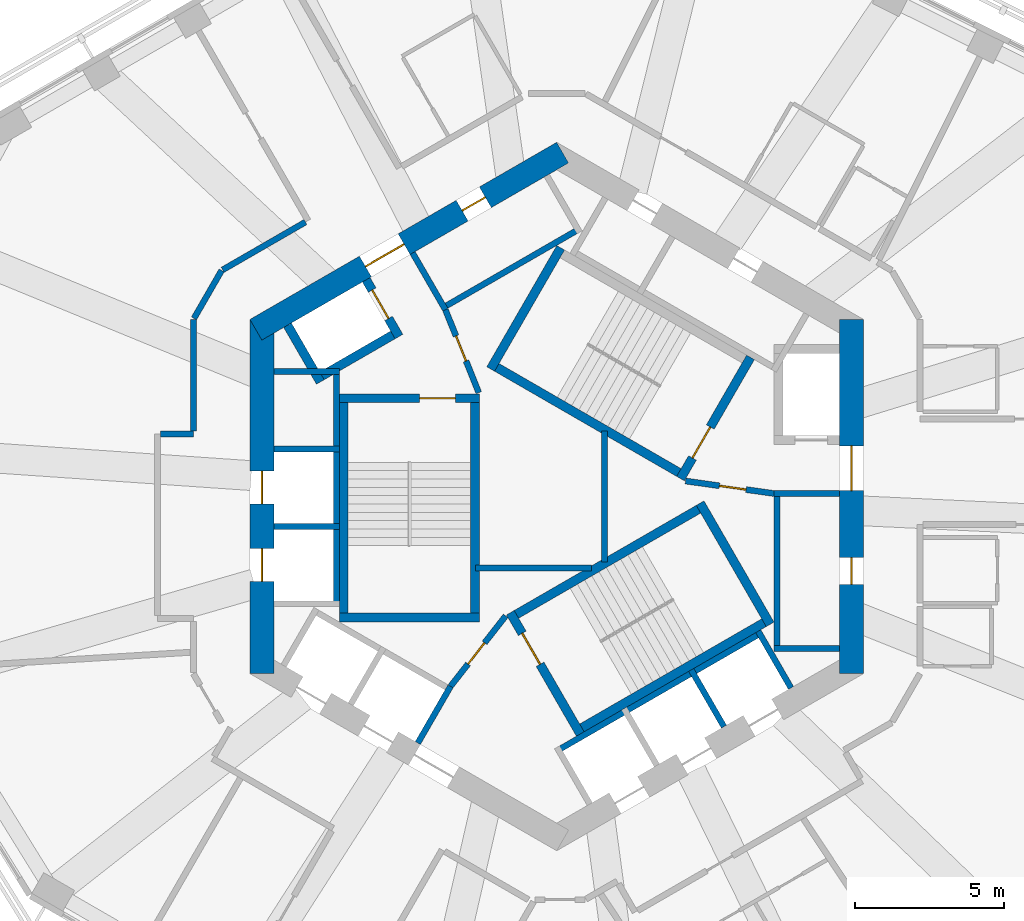
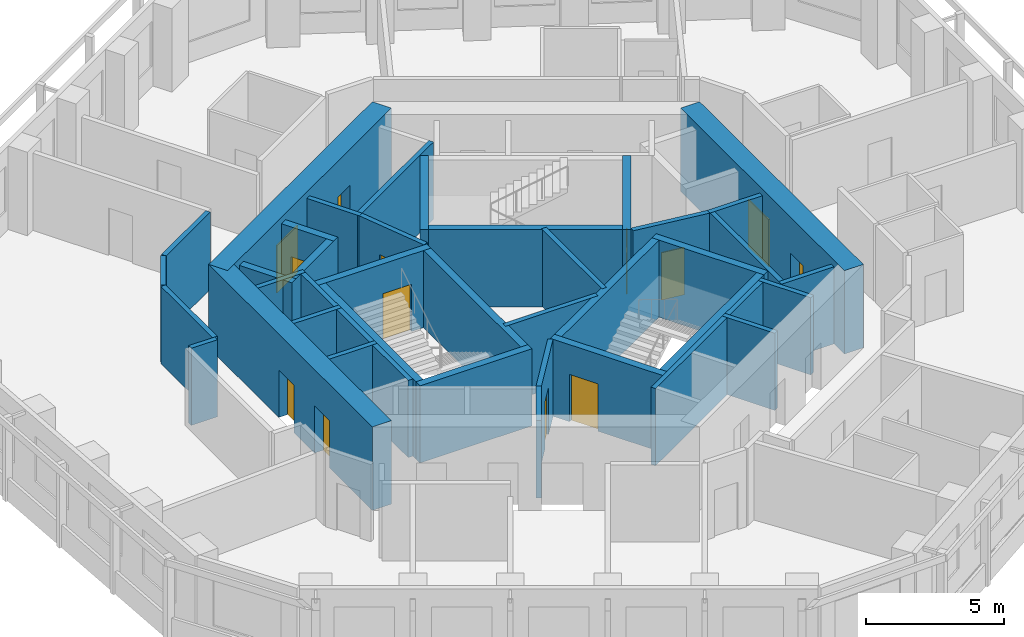
# One storey, part 5 of 11: 39 walls, 13 doors, 13 openings.
"""IFC4 building model written with IfcOpenShell, lengths in metres."""

from ifc_helpers import new_model, si_unit, direction, frame, frame_2d, origin, place, context, subcontext, project, spatial, rectangle, extrude, material, layer, layer_set, type_object, element, fill, save


model = new_model("IFC4")

# Units and contexts
model_context = context("Model", 3, precision=1e-05, world=origin(), true_north=direction((0.0, 1.0)))
body_context = subcontext(model_context, "Body", "Model", "MODEL_VIEW")
ifc_project = project(units=[si_unit("LENGTHUNIT", "METRE"), si_unit("AREAUNIT", "SQUARE_METRE"), si_unit("VOLUMEUNIT", "CUBIC_METRE"), si_unit("PLANEANGLEUNIT", "RADIAN"), si_unit("MASSUNIT", "GRAM", prefix="KILO")], contexts=[model_context])

# Site, building, storey
site_placement = place(None, origin())
site = spatial("IfcSite", under=ifc_project, at=site_placement, CompositionType="ELEMENT")
building_placement = place(site_placement, origin())
building = spatial("IfcBuilding", under=site, at=building_placement, Name="Vanh Sen Convention Tower", CompositionType="ELEMENT")
storey_placement = place(building_placement, frame((0.0, 0.0, 225.39990234375)))
storey = spatial("IfcBuildingStorey", under=building, at=storey_placement, Name="L55", CompositionType="ELEMENT", Elevation=225.39990234375)

# Wall, openings, doors
ifc_material_1 = material(Name="Concrete C60/75", Category="concrete")
ifc_layer_1 = layer(ifc_material_1, 0.800048828125)
ifc_layer_set_1 = layer_set([ifc_layer_1], Name="Concrete C60/75")
wall_type_1 = type_object("IfcWallType", Name="Core outer wall 800 C60/75", PredefinedType="SHEAR", material=ifc_layer_set_1)
wall_1_placement = place(storey_placement, frame((9.89990234375, -5.94677734375, 0.0), z_axis=(0.0, 0.0, 1.0), x_axis=(0.0, 1.0, 0.0)))
wall_1 = element("IfcWall", 1, at=wall_1_placement, inside=storey, type_object=wall_type_1, Name="Core wall face E L55", PredefinedType="SHEAR", context=body_context, shape_type="SweptSolid", body=[
    extrude(rectangle(XDim=11.8935546875, YDim=0.800048828125, at=frame_2d((5.94677734375, 0.0))), origin(), (0.0, 0.0, 1.0), 3.7001953125),
])
opening_1_placement = place(wall_1_placement, frame((6.146728515625, 0.0, 0.0)))
opening_1 = element("IfcOpeningElement", 2, at=opening_1_placement, cuts=wall_1, Name="Opening D52001", PredefinedType="OPENING", context=body_context, shape_type="SweptSolid", body=[
    extrude(rectangle(XDim=1.5, YDim=2.10009765625, at=frame_2d((0.75, 1.050048828125))), frame((0.0, 0.409912109375, 0.0), z_axis=(0.0, -1.0, 0.0), x_axis=(1.0, 0.0, 0.0)), (0.0, 0.0, 1.0), 0.820068359375),
])
opening_2_placement = place(wall_1_placement, frame((2.99658203125, 0.0, 0.0)))
opening_2 = element("IfcOpeningElement", 3, at=opening_2_placement, cuts=wall_1, Name="Opening D52010", PredefinedType="OPENING", context=body_context, shape_type="SweptSolid", body=[
    extrude(rectangle(XDim=0.89990234375, YDim=2.10009765625, at=frame_2d((0.449951171875, 1.050048828125))), frame((0.0, 0.409912109375, 0.0), z_axis=(0.0, -1.0, 0.0), x_axis=(1.0, 0.0, 0.0)), (0.0, 0.0, 1.0), 0.820068359375),
])
ifc_material_2 = material(Name="Steel S355", Category="steel")
door_type_1 = type_object("IfcDoorType", Name="Plant door 900", OperationType="SINGLE_SWING_LEFT", PredefinedType="DOOR", material=ifc_material_2)
door_1_placement = place(opening_2_placement, origin())
door_1 = element("IfcDoor", 4, at=door_1_placement, inside=storey, type_object=door_type_1, Name="Plant door D52010", OperationType="SINGLE_SWING_LEFT", OverallHeight=2.10009765625, OverallWidth=0.89990234375, PredefinedType="DOOR", context=body_context, shape_type="SweptSolid", body=[
    extrude(rectangle(XDim=0.89990234375, YDim=2.10009765625, at=frame_2d((0.449951171875, 1.050048828125))), frame((0.0, 0.02490234375, 0.0), z_axis=(0.0, -1.0, 0.0), x_axis=(1.0, 0.0, 0.0)), (0.0, 0.0, 1.0), 0.050048828125),
])
fill(opening_2, door_1)
door_type_2 = type_object("IfcDoorType", Name="Stair lobby door 1500", OperationType="DOUBLE_DOOR_SINGLE_SWING", PredefinedType="DOOR", material=ifc_material_2)
door_2_placement = place(opening_1_placement, origin())
door_2 = element("IfcDoor", 5, at=door_2_placement, inside=storey, type_object=door_type_2, Name="Stair lobby door D52001", OperationType="DOUBLE_DOOR_SINGLE_SWING", OverallHeight=2.10009765625, OverallWidth=1.5, PredefinedType="DOOR", context=body_context, shape_type="SweptSolid", body=[
    extrude(rectangle(XDim=1.5, YDim=2.10009765625, at=frame_2d((0.75, 1.050048828125))), frame((0.0, 0.02490234375, 0.0), z_axis=(0.0, -1.0, 0.0), x_axis=(1.0, 0.0, 0.0)), (0.0, 0.0, 1.0), 0.050048828125),
])
fill(opening_1, door_2)

wall_2_placement = place(storey_placement, frame((0.199951171875, 11.547119140625, 0.0), z_axis=(0.0, 0.0, 1.0), x_axis=(-0.866023897231, -0.500002609418, 0.0)))
wall_2 = element("IfcWall", 6, at=wall_2_placement, inside=storey, type_object=wall_type_1, Name="Core wall face NW L55", PredefinedType="SHEAR", context=body_context, shape_type="SweptSolid", body=[
    extrude(rectangle(XDim=11.8935546875, YDim=0.800048828125, at=frame_2d((5.94677734375, 0.0))), origin(), (0.0, 0.0, 1.0), 3.7001953125),
])
opening_3_placement = place(wall_2_placement, frame((6.146728515625, 0.0, 0.0)))
opening_3 = element("IfcOpeningElement", 7, at=opening_3_placement, cuts=wall_2, Name="Opening D52002", PredefinedType="OPENING", context=body_context, shape_type="SweptSolid", body=[
    extrude(rectangle(XDim=1.5, YDim=2.10009765625, at=frame_2d((0.75, 1.050048828125))), frame((0.0, 0.409912109375, 0.0), z_axis=(0.0, -1.0, 0.0), x_axis=(1.0, 0.0, 0.0)), (0.0, 0.0, 1.0), 0.820068359375),
])
opening_4_placement = place(wall_2_placement, frame((2.99658203125, 0.0, 0.0)))
opening_4 = element("IfcOpeningElement", 8, at=opening_4_placement, cuts=wall_2, Name="Opening D52013", PredefinedType="OPENING", context=body_context, shape_type="SweptSolid", body=[
    extrude(rectangle(XDim=0.89990234375, YDim=2.10009765625, at=frame_2d((0.449951171875, 1.050048828125))), frame((0.0, 0.409912109375, 0.0), z_axis=(0.0, -1.0, 0.0), x_axis=(1.0, 0.0, 0.0)), (0.0, 0.0, 1.0), 0.820068359375),
])
door_3_placement = place(opening_4_placement, origin())
door_3 = element("IfcDoor", 9, at=door_3_placement, inside=storey, type_object=door_type_1, Name="Plant door D52013", OperationType="SINGLE_SWING_LEFT", OverallHeight=2.10009765625, OverallWidth=0.89990234375, PredefinedType="DOOR", context=body_context, shape_type="SweptSolid", body=[
    extrude(rectangle(XDim=0.89990234375, YDim=2.10009765625, at=frame_2d((0.449951171875, 1.050048828125))), frame((0.0, 0.02490234375, 0.0), z_axis=(0.0, -1.0, 0.0), x_axis=(1.0, 0.0, 0.0)), (0.0, 0.0, 1.0), 0.050048828125),
])
fill(opening_4, door_3)
door_4_placement = place(opening_3_placement, origin())
door_4 = element("IfcDoor", 10, at=door_4_placement, inside=storey, type_object=door_type_2, Name="Stair lobby door D52002", OperationType="DOUBLE_DOOR_SINGLE_SWING", OverallHeight=2.10009765625, OverallWidth=1.5, PredefinedType="DOOR", context=body_context, shape_type="SweptSolid", body=[
    extrude(rectangle(XDim=1.5, YDim=2.10009765625, at=frame_2d((0.75, 1.050048828125))), frame((0.0, 0.02490234375, 0.0), z_axis=(0.0, -1.0, 0.0), x_axis=(1.0, 0.0, 0.0)), (0.0, 0.0, 1.0), 0.050048828125),
])
fill(opening_3, door_4)

wall_3_placement = place(storey_placement, frame((-9.89990234375, 5.94677734375, 0.0), z_axis=(0.0, 0.0, 1.0), x_axis=(0.0, -1.0, 0.0)))
wall_3 = element("IfcWall", 11, at=wall_3_placement, inside=storey, type_object=wall_type_1, Name="Core wall face W L55", PredefinedType="SHEAR", context=body_context, shape_type="SweptSolid", body=[
    extrude(rectangle(XDim=11.8935546875, YDim=0.800048828125, at=frame_2d((5.94677734375, 0.0))), origin(), (0.0, 0.0, 1.0), 3.7001953125),
])
opening_5_placement = place(wall_3_placement, frame((5.0966796875, 0.0, 0.0)))
opening_5 = element("IfcOpeningElement", 12, at=opening_5_placement, cuts=wall_3, Name="Opening LD-HR1", PredefinedType="OPENING", context=body_context, shape_type="SweptSolid", body=[
    extrude(rectangle(XDim=1.10009765625, YDim=2.10009765625, at=frame_2d((0.550048828125, 1.050048828125))), frame((0.0, 0.409912109375, 0.0), z_axis=(0.0, -1.0, 0.0), x_axis=(1.0, 0.0, 0.0)), (0.0, 0.0, 1.0), 0.820068359375),
])
opening_6_placement = place(wall_3_placement, frame((7.69677734375, 0.0, 0.0)))
opening_6 = element("IfcOpeningElement", 13, at=opening_6_placement, cuts=wall_3, Name="Opening LD-HR2", PredefinedType="OPENING", context=body_context, shape_type="SweptSolid", body=[
    extrude(rectangle(XDim=1.10009765625, YDim=2.10009765625, at=frame_2d((0.550048828125, 1.050048828125))), frame((0.0, 0.409912109375, 0.0), z_axis=(0.0, -1.0, 0.0), x_axis=(1.0, 0.0, 0.0)), (0.0, 0.0, 1.0), 0.820068359375),
])
ifc_material_3 = material(Name="Stainless steel", Category="steel")
door_type_3 = type_object("IfcDoorType", Name="Lift landing door 1100", OperationType="DOUBLE_DOOR_SLIDING", PredefinedType="DOOR", material=ifc_material_3)
door_5_placement = place(opening_5_placement, origin())
door_5 = element("IfcDoor", 14, at=door_5_placement, inside=storey, type_object=door_type_3, Name="Lift HR1 landing door LD-HR1", OperationType="DOUBLE_DOOR_SLIDING", OverallHeight=2.10009765625, OverallWidth=1.10009765625, PredefinedType="DOOR", context=body_context, shape_type="SweptSolid", body=[
    extrude(rectangle(XDim=1.10009765625, YDim=2.10009765625, at=frame_2d((0.550048828125, 1.050048828125))), frame((0.0, 0.02490234375, 0.0), z_axis=(0.0, -1.0, 0.0), x_axis=(1.0, 0.0, 0.0)), (0.0, 0.0, 1.0), 0.050048828125),
])
fill(opening_5, door_5)
door_6_placement = place(opening_6_placement, origin())
door_6 = element("IfcDoor", 15, at=door_6_placement, inside=storey, type_object=door_type_3, Name="Lift HR2 landing door LD-HR2", OperationType="DOUBLE_DOOR_SLIDING", OverallHeight=2.10009765625, OverallWidth=1.10009765625, PredefinedType="DOOR", context=body_context, shape_type="SweptSolid", body=[
    extrude(rectangle(XDim=1.10009765625, YDim=2.10009765625, at=frame_2d((0.550048828125, 1.050048828125))), frame((0.0, 0.02490234375, 0.0), z_axis=(0.0, -1.0, 0.0), x_axis=(1.0, 0.0, 0.0)), (0.0, 0.0, 1.0), 0.050048828125),
])
fill(opening_6, door_6)

# Walls
ifc_material_4 = material(Name="Masonry blockwork", Category="masonry")
ifc_layer_2 = layer(ifc_material_4, 0.199951171875)
ifc_layer_set_2 = layer_set([ifc_layer_2], Name="Masonry blockwork")
wall_type_2 = type_object("IfcWallType", Name="Core partition 200", PredefinedType="PARTITIONING", material=ifc_layer_set_2)
wall_4_placement = place(storey_placement, frame((-2.719970703125, -2.39990234375, 0.0), z_axis=(0.0, 0.0, 1.0), x_axis=(1.0, 0.0, 0.0)))
element("IfcWall", 16, at=wall_4_placement, inside=storey, type_object=wall_type_2, Name="Core partition L55", PredefinedType="PARTITIONING", context=body_context, shape_type="SweptSolid", body=[
    extrude(rectangle(XDim=3.883056640625, YDim=0.199951171875, at=frame_2d((1.94140625, 0.0))), origin(), (0.0, 0.0, 1.0), 3.420166015625),
])
wall_5_placement = place(storey_placement, frame((1.60009765625, -2.198486328125, 0.0), z_axis=(0.0, 0.0, 1.0), x_axis=(0.0, 1.0, 0.0)))
element("IfcWall", 17, at=wall_5_placement, inside=storey, type_object=wall_type_2, Name="Core partition L55", PredefinedType="PARTITIONING", context=body_context, shape_type="SweptSolid", body=[
    extrude(rectangle(XDim=4.39697265625, YDim=0.199951171875, at=frame_2d((2.198486328125, 0.0))), origin(), (0.0, 0.0, 1.0), 3.420166015625),
])
ifc_material_5 = material(Name="Gypsum board on steel studs with mineral wool", Category="steel")
ifc_layer_3 = layer(ifc_material_5, 0.199951171875)
ifc_layer_set_3 = layer_set([ifc_layer_3], Name="Gypsum board on steel studs with mineral wool")
wall_type_3 = type_object("IfcWallType", Name="Corridor partition wall 200", PredefinedType="PARTITIONING", material=ifc_layer_set_3)
wall_6_placement = place(storey_placement, frame((-12.199951171875, 2.10107421875, 0.0), z_axis=(0.0, 0.0, 1.0), x_axis=(-1.0, 0.0, 0.0)))
element("IfcWall", 18, at=wall_6_placement, inside=storey, type_object=wall_type_3, Name="Corridor partition wall 200", PredefinedType="PARTITIONING", context=body_context, shape_type="SweptSolid", body=[
    extrude(rectangle(XDim=1.10107421875, YDim=0.199951171875, at=frame_2d((0.550537109375, 0.0))), origin(), (0.0, 0.0, 1.0), 3.420166015625),
])
wall_7_placement = place(storey_placement, frame((-12.199951171875, 5.94677734375, 0.0), z_axis=(0.0, 0.0, 1.0), x_axis=(0.0, -1.0, 0.0)))
element("IfcWall", 19, at=wall_7_placement, inside=storey, type_object=wall_type_3, Name="Corridor partition wall 200", PredefinedType="PARTITIONING", context=body_context, shape_type="SweptSolid", body=[
    extrude(rectangle(XDim=3.745849609375, YDim=0.199951171875, at=frame_2d((1.873046875, 0.0))), origin(), (0.0, 0.0, 1.0), 3.420166015625),
])
wall_8_placement = place(storey_placement, frame((-11.25, 7.592041015625, 0.0), z_axis=(0.0, 0.0, 1.0), x_axis=(-0.499964847546, -0.866045698112, 0.0)))
element("IfcWall", 20, at=wall_8_placement, inside=storey, type_object=wall_type_3, Name="Corridor partition wall 200", PredefinedType="PARTITIONING", context=body_context, shape_type="SweptSolid", body=[
    extrude(rectangle(XDim=1.860107421875, YDim=0.199951171875, at=frame_2d((0.93017578125, 0.0))), origin(), (0.0, 0.0, 1.0), 3.420166015625),
])
wall_9_placement = place(storey_placement, frame((-8.4365234375, 9.216552734375, 0.0), z_axis=(0.0, 0.0, 1.0), x_axis=(-0.866005660673, -0.500034194513, 0.0)))
element("IfcWall", 21, at=wall_9_placement, inside=storey, type_object=wall_type_3, Name="Corridor partition wall 200", PredefinedType="PARTITIONING", context=body_context, shape_type="SweptSolid", body=[
    extrude(rectangle(XDim=3.208740234375, YDim=0.199951171875, at=frame_2d((1.6044921875, 0.0))), origin(), (0.0, 0.0, 1.0), 3.420166015625),
])

# Wall, opening, door
ifc_layer_4 = layer(ifc_material_1, 0.300048828125)
ifc_layer_set_4 = layer_set([ifc_layer_4], Name="Concrete C60/75")
wall_type_4 = type_object("IfcWallType", Name="Fire-fighting lift shaft wall 300", PredefinedType="SHEAR", material=ifc_layer_set_4)
wall_10_placement = place(storey_placement, frame((-5.29541015625, 5.3720703125, 0.0), z_axis=(0.0, 0.0, 1.0), x_axis=(-0.500077893725, 0.86598042715, 0.0)))
wall_10 = element("IfcWall", 22, at=wall_10_placement, inside=storey, type_object=wall_type_4, Name="Fire-fighting lift shaft wall L55", PredefinedType="SHEAR", context=body_context, shape_type="SweptSolid", body=[
    extrude(rectangle(XDim=2.199951171875, YDim=0.300048828125, at=frame_2d((1.10009765625, 0.0))), origin(), (0.0, 0.0, 1.0), 3.420166015625),
])
opening_7_placement = place(wall_10_placement, frame((0.699951171875, 0.0, 0.0)))
opening_7 = element("IfcOpeningElement", 23, at=opening_7_placement, cuts=wall_10, Name="Opening LD-FF2", PredefinedType="OPENING", context=body_context, shape_type="SweptSolid", body=[
    extrude(rectangle(XDim=1.10009765625, YDim=2.10009765625, at=frame_2d((0.550048828125, 1.050048828125))), frame((0.0, 0.159912109375, 0.0), z_axis=(0.0, -1.0, 0.0), x_axis=(1.0, 0.0, 0.0)), (0.0, 0.0, 1.0), 0.320068359375),
])
door_type_4 = type_object("IfcDoorType", Name="Fire-fighting lift landing door 1100", OperationType="DOUBLE_DOOR_SLIDING", PredefinedType="DOOR", material=ifc_material_3)
door_7_placement = place(opening_7_placement, origin())
door_7 = element("IfcDoor", 24, at=door_7_placement, inside=storey, type_object=door_type_4, Name="Lift FF2 landing door LD-FF2", OperationType="DOUBLE_DOOR_SLIDING", OverallHeight=2.10009765625, OverallWidth=1.10009765625, PredefinedType="DOOR", context=body_context, shape_type="SweptSolid", body=[
    extrude(rectangle(XDim=1.10009765625, YDim=2.10009765625, at=frame_2d((0.550048828125, 1.050048828125))), frame((0.0, 0.02490234375, 0.0), z_axis=(0.0, -1.0, 0.0), x_axis=(1.0, 0.0, 0.0)), (0.0, 0.0, 1.0), 0.050048828125),
])
fill(opening_7, door_7)

# Walls
wall_11_placement = place(storey_placement, frame((-5.240478515625, 5.576904296875, 0.0), z_axis=(0.0, 0.0, 1.0), x_axis=(-0.866014461049, -0.500018952895, 0.0)))
element("IfcWall", 25, at=wall_11_placement, inside=storey, type_object=wall_type_4, Name="Fire-fighting lift shaft wall L55", PredefinedType="SHEAR", context=body_context, shape_type="SweptSolid", body=[
    extrude(rectangle(XDim=3.349853515625, YDim=0.300048828125, at=frame_2d((1.6748046875, 0.0))), origin(), (0.0, 0.0, 1.0), 3.420166015625),
])
wall_12_placement = place(storey_placement, frame((-7.936767578125, 3.846923828125, 0.0), z_axis=(0.0, 0.0, 1.0), x_axis=(-0.50002983664, 0.866008176907, 0.0)))
element("IfcWall", 26, at=wall_12_placement, inside=storey, type_object=wall_type_4, Name="Fire-fighting lift shaft wall L55", PredefinedType="SHEAR", context=body_context, shape_type="SweptSolid", body=[
    extrude(rectangle(XDim=2.199951171875, YDim=0.300048828125, at=frame_2d((1.10009765625, 0.0))), origin(), (0.0, 0.0, 1.0), 3.420166015625),
])
ifc_material_6 = material(Name="Concrete C40/50", Category="concrete")
ifc_layer_5 = layer(ifc_material_6, 0.199951171875)
ifc_layer_set_5 = layer_set([ifc_layer_5], Name="Concrete C40/50")
wall_type_5 = type_object("IfcWallType", Name="Lift shaft wall 200", PredefinedType="PARTITIONING", material=ifc_layer_set_5)
wall_13_placement = place(storey_placement, frame((7.39990234375, -5.199951171875, 0.0), z_axis=(0.0, 0.0, 1.0), x_axis=(0.0, 1.0, 0.0)))
element("IfcWall", 27, at=wall_13_placement, inside=storey, type_object=wall_type_5, Name="Lift shaft wall L55", PredefinedType="PARTITIONING", context=body_context, shape_type="SweptSolid", body=[
    extrude(rectangle(XDim=5.39990234375, YDim=0.199951171875, at=frame_2d((2.699951171875, 0.0))), origin(), (0.0, 0.0, 1.0), 3.420166015625),
])
for number, where, z_axis, x_axis, name in (
    (28, (7.300048828125, -5.10009765625, 0.0), (0.0, 0.0, 1.0), (1.0, 0.0, 0.0), "Lift shaft wall L55"),
    (29, (7.300048828125, 0.10009765625, 0.0), (0.0, 0.0, 1.0), (1.0, 0.0, 0.0), "Lift shaft wall L55"),
):
    element("IfcWall", number, at=place(storey_placement, frame(where, z_axis=z_axis, x_axis=x_axis)), inside=storey, type_object=wall_type_5, Name=name, PredefinedType="PARTITIONING", context=body_context, shape_type="SweptSolid", body=[
        extrude(rectangle(XDim=2.199951171875, YDim=0.199951171875, at=frame_2d((1.10009765625, 0.0))), origin(), (0.0, 0.0, 1.0), 3.420166015625),
    ])
wall_14_placement = place(storey_placement, frame((0.80322265625, 9.008544921875, 0.0), z_axis=(0.0, 0.0, 1.0), x_axis=(-0.866028230842, -0.499995103361, 0.0)))
element("IfcWall", 30, at=wall_14_placement, inside=storey, type_object=wall_type_5, Name="Lift shaft wall L55", PredefinedType="PARTITIONING", context=body_context, shape_type="SweptSolid", body=[
    extrude(rectangle(XDim=5.39990234375, YDim=0.199951171875, at=frame_2d((2.699951171875, 0.0))), origin(), (0.0, 0.0, 1.0), 3.420166015625),
])
wall_15_placement = place(storey_placement, frame((-3.736572265625, 6.27197265625, 0.0), z_axis=(0.0, 0.0, 1.0), x_axis=(-0.50002983664, 0.866008176907, 0.0)))
element("IfcWall", 31, at=wall_15_placement, inside=storey, type_object=wall_type_5, Name="Lift shaft wall L55", PredefinedType="PARTITIONING", context=body_context, shape_type="SweptSolid", body=[
    extrude(rectangle(XDim=2.199951171875, YDim=0.199951171875, at=frame_2d((1.10009765625, 0.0))), origin(), (0.0, 0.0, 1.0), 3.420166015625),
])
wall_16_placement = place(storey_placement, frame((-7.39990234375, 4.300048828125, 0.0), z_axis=(0.0, 0.0, 1.0), x_axis=(0.0, -1.0, 0.0)))
element("IfcWall", 32, at=wall_16_placement, inside=storey, type_object=wall_type_5, Name="Lift shaft wall L55", PredefinedType="PARTITIONING", context=body_context, shape_type="SweptSolid", body=[
    extrude(rectangle(XDim=8.0, YDim=0.199951171875, at=frame_2d((4.0, 0.0))), origin(), (0.0, 0.0, 1.0), 3.420166015625),
])
for number, where, z_axis, x_axis, name in (
    (33, (-7.300048828125, 4.199951171875, 0.0), (0.0, 0.0, 1.0), (-1.0, 0.0, 0.0), "Lift shaft wall L55"),
    (34, (-7.300048828125, 1.60009765625, 0.0), (0.0, 0.0, 1.0), (-1.0, 0.0, 0.0), "Lift shaft wall L55"),
    (35, (-7.300048828125, -1.0, 0.0), (0.0, 0.0, 1.0), (-1.0, 0.0, 0.0), "Lift shaft wall L55"),
):
    element("IfcWall", number, at=place(storey_placement, frame(where, z_axis=z_axis, x_axis=x_axis)), inside=storey, type_object=wall_type_5, Name=name, PredefinedType="PARTITIONING", context=body_context, shape_type="SweptSolid", body=[
        extrude(rectangle(XDim=2.199951171875, YDim=0.199951171875, at=frame_2d((1.10009765625, 0.0))), origin(), (0.0, 0.0, 1.0), 3.420166015625),
    ])
wall_17_placement = place(storey_placement, frame((-3.5634765625, -6.3720703125, 0.0), z_axis=(0.0, 0.0, 1.0), x_axis=(-0.499994660107, -0.866028486751, 0.0)))
element("IfcWall", 36, at=wall_17_placement, inside=storey, type_object=wall_type_5, Name="Lift shaft wall L55", PredefinedType="PARTITIONING", context=body_context, shape_type="SweptSolid", body=[
    extrude(rectangle(XDim=2.19970703125, YDim=0.199951171875, at=frame_2d((1.099853515625, 0.0))), origin(), (0.0, 0.0, 1.0), 3.420166015625),
])
wall_18_placement = place(storey_placement, frame((-0.02392578125, -8.55859375, 0.0), z_axis=(0.0, 0.0, 1.0), x_axis=(0.866026010844, 0.49999894854, 0.0)))
element("IfcWall", 37, at=wall_18_placement, inside=storey, type_object=wall_type_5, Name="Lift shaft wall L55", PredefinedType="PARTITIONING", context=body_context, shape_type="SweptSolid", body=[
    extrude(rectangle(XDim=8.0, YDim=0.199951171875, at=frame_2d((4.0, 0.0))), origin(), (0.0, 0.0, 1.0), 3.420166015625),
])
for number, where, z_axis, x_axis, name in (
    (38, (4.51611328125, -5.822021484375, 0.0), (0.0, 0.0, 1.0), (0.499946605688, -0.86605622881, 0.0), "Lift shaft wall L55"),
    (39, (6.767578125, -4.52197265625, 0.0), (0.0, 0.0, 1.0), (0.50002983664, -0.866008176907, 0.0), "Lift shaft wall L55"),
):
    element("IfcWall", number, at=place(storey_placement, frame(where, z_axis=z_axis, x_axis=x_axis)), inside=storey, type_object=wall_type_5, Name=name, PredefinedType="PARTITIONING", context=body_context, shape_type="SweptSolid", body=[
        extrude(rectangle(XDim=2.199951171875, YDim=0.199951171875, at=frame_2d((1.10009765625, 0.0))), origin(), (0.0, 0.0, 1.0), 3.420166015625),
    ])

# Wall, opening, door
ifc_layer_6 = layer(ifc_material_6, 0.199951171875)
ifc_layer_set_6 = layer_set([ifc_layer_6], Name="Concrete C40/50")
wall_type_6 = type_object("IfcWallType", Name="Stair lobby wall 200", PredefinedType="PARTITIONING", material=ifc_layer_set_6)
wall_19_placement = place(storey_placement, frame((4.327392578125, 0.52099609375, 0.0), z_axis=(0.0, 0.0, 1.0), x_axis=(0.990124376366, -0.14019172346, 0.0)))
wall_19 = element("IfcWall", 40, at=wall_19_placement, inside=storey, type_object=wall_type_6, Name="Stair lobby wall L55", PredefinedType="PARTITIONING", context=body_context, shape_type="SweptSolid", body=[
    extrude(rectangle(XDim=3.002197265625, YDim=0.199951171875, at=frame_2d((1.5009765625, 0.0))), origin(), (0.0, 0.0, 1.0), 3.420166015625),
])
opening_8_placement = place(wall_19_placement, frame((1.14990234375, 0.0, 0.0)))
opening_8 = element("IfcOpeningElement", 41, at=opening_8_placement, cuts=wall_19, Name="Opening D52007", PredefinedType="OPENING", context=body_context, shape_type="SweptSolid", body=[
    extrude(rectangle(XDim=0.89990234375, YDim=2.10009765625, at=frame_2d((0.449951171875, 1.050048828125))), frame((0.0, 0.10986328125, 0.0), z_axis=(0.0, -1.0, 0.0), x_axis=(1.0, 0.0, 0.0)), (0.0, 0.0, 1.0), 0.219970703125),
])
door_8_placement = place(opening_8_placement, origin())
door_8 = element("IfcDoor", 42, at=door_8_placement, inside=storey, type_object=door_type_1, Name="Plant door D52007", OperationType="SINGLE_SWING_LEFT", OverallHeight=2.10009765625, OverallWidth=0.89990234375, PredefinedType="DOOR", context=body_context, shape_type="SweptSolid", body=[
    extrude(rectangle(XDim=0.89990234375, YDim=2.10009765625, at=frame_2d((0.449951171875, 1.050048828125))), frame((0.0, 0.02490234375, 0.0), z_axis=(0.0, -1.0, 0.0), x_axis=(1.0, 0.0, 0.0)), (0.0, 0.0, 1.0), 0.050048828125),
])
fill(opening_8, door_8)

wall_20_placement = place(storey_placement, frame((-2.614990234375, 3.487060546875, 0.0), z_axis=(0.0, 0.0, 1.0), x_axis=(-0.373576831041, 0.92759924068, 0.0)))
wall_20 = element("IfcWall", 43, at=wall_20_placement, inside=storey, type_object=wall_type_6, Name="Stair lobby wall L55", PredefinedType="PARTITIONING", context=body_context, shape_type="SweptSolid", body=[
    extrude(rectangle(XDim=3.002197265625, YDim=0.199951171875, at=frame_2d((1.5009765625, 0.0))), origin(), (0.0, 0.0, 1.0), 3.420166015625),
])
opening_9_placement = place(wall_20_placement, frame((1.14990234375, 0.0, 0.0)))
opening_9 = element("IfcOpeningElement", 44, at=opening_9_placement, cuts=wall_20, Name="Opening D52008", PredefinedType="OPENING", context=body_context, shape_type="SweptSolid", body=[
    extrude(rectangle(XDim=0.89990234375, YDim=2.10009765625, at=frame_2d((0.449951171875, 1.050048828125))), frame((0.0, 0.10986328125, 0.0), z_axis=(0.0, -1.0, 0.0), x_axis=(1.0, 0.0, 0.0)), (0.0, 0.0, 1.0), 0.219970703125),
])
door_9_placement = place(opening_9_placement, origin())
door_9 = element("IfcDoor", 45, at=door_9_placement, inside=storey, type_object=door_type_1, Name="Plant door D52008", OperationType="SINGLE_SWING_LEFT", OverallHeight=2.10009765625, OverallWidth=0.89990234375, PredefinedType="DOOR", context=body_context, shape_type="SweptSolid", body=[
    extrude(rectangle(XDim=0.89990234375, YDim=2.10009765625, at=frame_2d((0.449951171875, 1.050048828125))), frame((0.0, 0.02490234375, 0.0), z_axis=(0.0, -1.0, 0.0), x_axis=(1.0, 0.0, 0.0)), (0.0, 0.0, 1.0), 0.050048828125),
])
fill(opening_9, door_9)

wall_21_placement = place(storey_placement, frame((-1.71240234375, -4.00830078125, 0.0), z_axis=(0.0, 0.0, 1.0), x_axis=(-0.616549420702, -0.787316208287, 0.0)))
wall_21 = element("IfcWall", 46, at=wall_21_placement, inside=storey, type_object=wall_type_6, Name="Stair lobby wall L55", PredefinedType="PARTITIONING", context=body_context, shape_type="SweptSolid", body=[
    extrude(rectangle(XDim=3.002197265625, YDim=0.199951171875, at=frame_2d((1.5009765625, 0.0))), origin(), (0.0, 0.0, 1.0), 3.420166015625),
])
opening_10_placement = place(wall_21_placement, frame((1.14990234375, 0.0, 0.0)))
opening_10 = element("IfcOpeningElement", 47, at=opening_10_placement, cuts=wall_21, Name="Opening D52009", PredefinedType="OPENING", context=body_context, shape_type="SweptSolid", body=[
    extrude(rectangle(XDim=0.89990234375, YDim=2.10009765625, at=frame_2d((0.449951171875, 1.050048828125))), frame((0.0, 0.10986328125, 0.0), z_axis=(0.0, -1.0, 0.0), x_axis=(1.0, 0.0, 0.0)), (0.0, 0.0, 1.0), 0.219970703125),
])
door_10_placement = place(opening_10_placement, origin())
door_10 = element("IfcDoor", 48, at=door_10_placement, inside=storey, type_object=door_type_1, Name="Plant door D52009", OperationType="SINGLE_SWING_LEFT", OverallHeight=2.10009765625, OverallWidth=0.89990234375, PredefinedType="DOOR", context=body_context, shape_type="SweptSolid", body=[
    extrude(rectangle(XDim=0.89990234375, YDim=2.10009765625, at=frame_2d((0.449951171875, 1.050048828125))), frame((0.0, 0.02490234375, 0.0), z_axis=(0.0, -1.0, 0.0), x_axis=(1.0, 0.0, 0.0)), (0.0, 0.0, 1.0), 0.050048828125),
])
fill(opening_10, door_10)

ifc_layer_7 = layer(ifc_material_1, 0.300048828125)
ifc_layer_set_7 = layer_set([ifc_layer_7], Name="Concrete C60/75")
wall_type_7 = type_object("IfcWallType", Name="Stair wall 300", PredefinedType="SHEAR", material=ifc_layer_set_7)
wall_22_placement = place(storey_placement, frame((4.157958984375, 0.601806640625, 0.0), z_axis=(0.0, 0.0, 1.0), x_axis=(0.499977259774, 0.866038532462, 0.0)))
wall_22 = element("IfcWall", 49, at=wall_22_placement, inside=storey, type_object=wall_type_7, Name="Stair wall L55", PredefinedType="SHEAR", context=body_context, shape_type="SweptSolid", body=[
    extrude(rectangle(XDim=4.699951171875, YDim=0.300048828125, at=frame_2d((2.35009765625, 0.0))), origin(), (0.0, 0.0, 1.0), 3.420166015625),
])
opening_11_placement = place(wall_22_placement, frame((0.800048828125, 0.0, 0.0)))
opening_11 = element("IfcOpeningElement", 50, at=opening_11_placement, cuts=wall_22, Name="Opening D52004", PredefinedType="OPENING", context=body_context, shape_type="SweptSolid", body=[
    extrude(rectangle(XDim=1.199951171875, YDim=2.10009765625, at=frame_2d((0.60009765625, 1.050048828125))), frame((0.0, 0.159912109375, 0.0), z_axis=(0.0, -1.0, 0.0), x_axis=(1.0, 0.0, 0.0)), (0.0, 0.0, 1.0), 0.320068359375),
])
door_type_5 = type_object("IfcDoorType", Name="Stair door 1200", OperationType="SINGLE_SWING_RIGHT", PredefinedType="DOOR", material=ifc_material_2)
door_11_placement = place(opening_11_placement, origin())
door_11 = element("IfcDoor", 51, at=door_11_placement, inside=storey, type_object=door_type_5, Name="Stair ST1 door D52004", OperationType="SINGLE_SWING_RIGHT", OverallHeight=2.10009765625, OverallWidth=1.199951171875, PredefinedType="DOOR", context=body_context, shape_type="SweptSolid", body=[
    extrude(rectangle(XDim=1.199951171875, YDim=2.10009765625, at=frame_2d((0.60009765625, 1.050048828125))), frame((0.0, 0.02490234375, 0.0), z_axis=(0.0, -1.0, 0.0), x_axis=(1.0, 0.0, 0.0)), (0.0, 0.0, 1.0), 0.050048828125),
])
fill(opening_11, door_11)

# Walls
wall_23_placement = place(storey_placement, frame((-2.216064453125, 4.28173828125, 0.0), z_axis=(0.0, 0.0, 1.0), x_axis=(0.499977259774, 0.866038532462, 0.0)))
element("IfcWall", 52, at=wall_23_placement, inside=storey, type_object=wall_type_7, Name="Stair wall L55", PredefinedType="SHEAR", context=body_context, shape_type="SweptSolid", body=[
    extrude(rectangle(XDim=4.699951171875, YDim=0.300048828125, at=frame_2d((2.35009765625, 0.0))), origin(), (0.0, 0.0, 1.0), 3.420166015625),
])
wall_24_placement = place(storey_placement, frame((4.10302734375, 0.806640625, 0.0), z_axis=(0.0, 0.0, 1.0), x_axis=(-0.866027801685, 0.499995846692, 0.0)))
element("IfcWall", 53, at=wall_24_placement, inside=storey, type_object=wall_type_7, Name="Stair wall L55", PredefinedType="SHEAR", context=body_context, shape_type="SweptSolid", body=[
    extrude(rectangle(XDim=7.06005859375, YDim=0.300048828125, at=frame_2d((3.530029296875, 0.0))), origin(), (0.0, 0.0, 1.0), 3.420166015625),
])

# Wall, opening, door
wall_25_placement = place(storey_placement, frame((-2.60009765625, 3.300048828125, 0.0), z_axis=(0.0, 0.0, 1.0), x_axis=(-1.0, 0.0, 0.0)))
wall_25 = element("IfcWall", 54, at=wall_25_placement, inside=storey, type_object=wall_type_7, Name="Stair wall L55", PredefinedType="SHEAR", context=body_context, shape_type="SweptSolid", body=[
    extrude(rectangle(XDim=4.699951171875, YDim=0.300048828125, at=frame_2d((2.35009765625, 0.0))), origin(), (0.0, 0.0, 1.0), 3.420166015625),
])
opening_12_placement = place(wall_25_placement, frame((0.800048828125, 0.0, 0.0)))
opening_12 = element("IfcOpeningElement", 55, at=opening_12_placement, cuts=wall_25, Name="Opening D52005", PredefinedType="OPENING", context=body_context, shape_type="SweptSolid", body=[
    extrude(rectangle(XDim=1.199951171875, YDim=2.10009765625, at=frame_2d((0.60009765625, 1.050048828125))), frame((0.0, 0.159912109375, 0.0), z_axis=(0.0, -1.0, 0.0), x_axis=(1.0, 0.0, 0.0)), (0.0, 0.0, 1.0), 0.320068359375),
])
door_12_placement = place(opening_12_placement, origin())
door_12 = element("IfcDoor", 56, at=door_12_placement, inside=storey, type_object=door_type_5, Name="Stair ST2 door D52005", OperationType="SINGLE_SWING_RIGHT", OverallHeight=2.10009765625, OverallWidth=1.199951171875, PredefinedType="DOOR", context=body_context, shape_type="SweptSolid", body=[
    extrude(rectangle(XDim=1.199951171875, YDim=2.10009765625, at=frame_2d((0.60009765625, 1.050048828125))), frame((0.0, 0.02490234375, 0.0), z_axis=(0.0, -1.0, 0.0), x_axis=(1.0, 0.0, 0.0)), (0.0, 0.0, 1.0), 0.050048828125),
])
fill(opening_12, door_12)

# Walls
wall_26_placement = place(storey_placement, frame((-2.60009765625, -4.06005859375, 0.0), z_axis=(0.0, 0.0, 1.0), x_axis=(-1.0, 0.0, 0.0)))
element("IfcWall", 57, at=wall_26_placement, inside=storey, type_object=wall_type_7, Name="Stair wall L55", PredefinedType="SHEAR", context=body_context, shape_type="SweptSolid", body=[
    extrude(rectangle(XDim=4.699951171875, YDim=0.300048828125, at=frame_2d((2.35009765625, 0.0))), origin(), (0.0, 0.0, 1.0), 3.420166015625),
])
for number, where, z_axis, x_axis, name in (
    (58, (-2.75, 3.14990234375, 0.0), (0.0, 0.0, 1.0), (0.0, -1.0, 0.0), "Stair wall L55"),
    (59, (-7.14990234375, 3.14990234375, 0.0), (0.0, 0.0, 1.0), (0.0, -1.0, 0.0), "Stair wall L55"),
):
    element("IfcWall", number, at=place(storey_placement, frame(where, z_axis=z_axis, x_axis=x_axis)), inside=storey, type_object=wall_type_7, Name=name, PredefinedType="SHEAR", context=body_context, shape_type="SweptSolid", body=[
        extrude(rectangle(XDim=7.059814453125, YDim=0.300048828125, at=frame_2d((3.52978515625, 0.0))), origin(), (0.0, 0.0, 1.0), 3.420166015625),
    ])

# Wall, opening, door
wall_27_placement = place(storey_placement, frame((-1.557861328125, -3.901611328125, 0.0), z_axis=(0.0, 0.0, 1.0), x_axis=(0.499977259774, -0.866038532462, 0.0)))
wall_27 = element("IfcWall", 60, at=wall_27_placement, inside=storey, type_object=wall_type_7, Name="Stair wall L55", PredefinedType="SHEAR", context=body_context, shape_type="SweptSolid", body=[
    extrude(rectangle(XDim=4.699951171875, YDim=0.300048828125, at=frame_2d((2.35009765625, 0.0))), origin(), (0.0, 0.0, 1.0), 3.420166015625),
])
opening_13_placement = place(wall_27_placement, frame((0.800048828125, 0.0, 0.0)))
opening_13 = element("IfcOpeningElement", 61, at=opening_13_placement, cuts=wall_27, Name="Opening D52006", PredefinedType="OPENING", context=body_context, shape_type="SweptSolid", body=[
    extrude(rectangle(XDim=1.199951171875, YDim=2.10009765625, at=frame_2d((0.60009765625, 1.050048828125))), frame((0.0, 0.159912109375, 0.0), z_axis=(0.0, -1.0, 0.0), x_axis=(1.0, 0.0, 0.0)), (0.0, 0.0, 1.0), 0.320068359375),
])
door_13_placement = place(opening_13_placement, origin())
door_13 = element("IfcDoor", 62, at=door_13_placement, inside=storey, type_object=door_type_5, Name="Stair ST3 door D52006", OperationType="SINGLE_SWING_RIGHT", OverallHeight=2.10009765625, OverallWidth=1.199951171875, PredefinedType="DOOR", context=body_context, shape_type="SweptSolid", body=[
    extrude(rectangle(XDim=1.199951171875, YDim=2.10009765625, at=frame_2d((0.60009765625, 1.050048828125))), frame((0.0, 0.02490234375, 0.0), z_axis=(0.0, -1.0, 0.0), x_axis=(1.0, 0.0, 0.0)), (0.0, 0.0, 1.0), 0.050048828125),
])
fill(opening_13, door_13)

# Walls
wall_28_placement = place(storey_placement, frame((4.816162109375, -0.2216796875, 0.0), z_axis=(0.0, 0.0, 1.0), x_axis=(0.499977259774, -0.866038532462, 0.0)))
element("IfcWall", 63, at=wall_28_placement, inside=storey, type_object=wall_type_7, Name="Stair wall L55", PredefinedType="SHEAR", context=body_context, shape_type="SweptSolid", body=[
    extrude(rectangle(XDim=4.699951171875, YDim=0.300048828125, at=frame_2d((2.35009765625, 0.0))), origin(), (0.0, 0.0, 1.0), 3.420166015625),
])
for number, where, z_axis, x_axis, name in (
    (64, (-1.35302734375, -3.95654296875, 0.0), (0.0, 0.0, 1.0), (0.866027801685, 0.499995846692, 0.0), "Stair wall L55"),
    (65, (0.846923828125, -7.76708984375, 0.0), (0.0, 0.0, 1.0), (0.866027801685, 0.499995846692, 0.0), "Stair wall L55"),
):
    element("IfcWall", number, at=place(storey_placement, frame(where, z_axis=z_axis, x_axis=x_axis)), inside=storey, type_object=wall_type_7, Name=name, PredefinedType="SHEAR", context=body_context, shape_type="SweptSolid", body=[
        extrude(rectangle(XDim=7.06005859375, YDim=0.300048828125, at=frame_2d((3.530029296875, 0.0))), origin(), (0.0, 0.0, 1.0), 3.420166015625),
    ])

save(model, "model.ifc")
